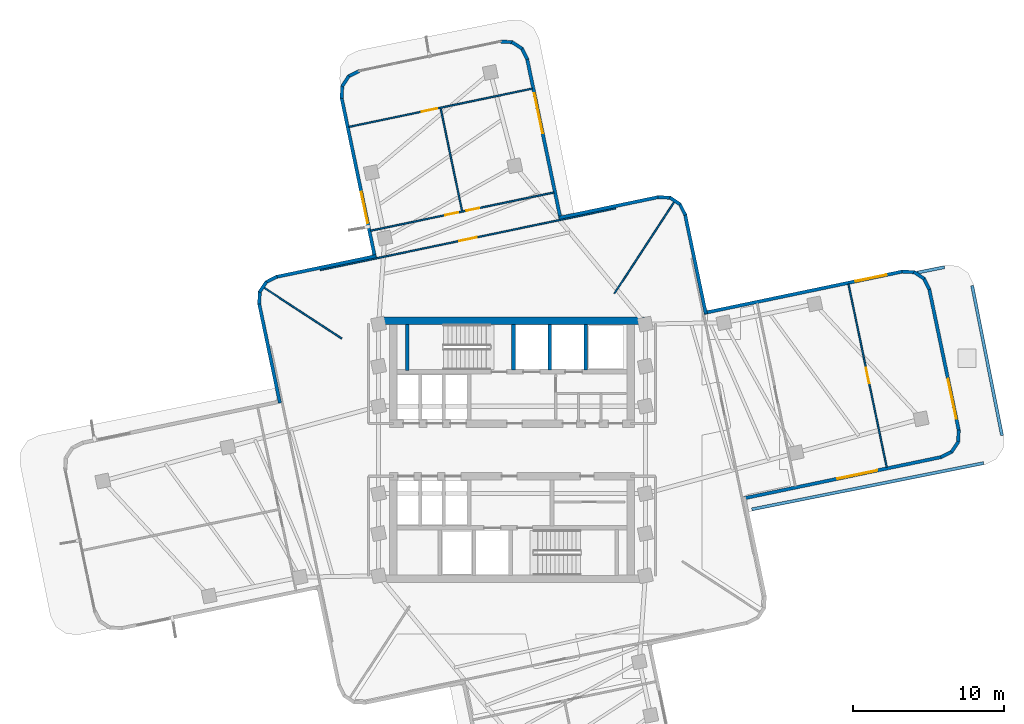
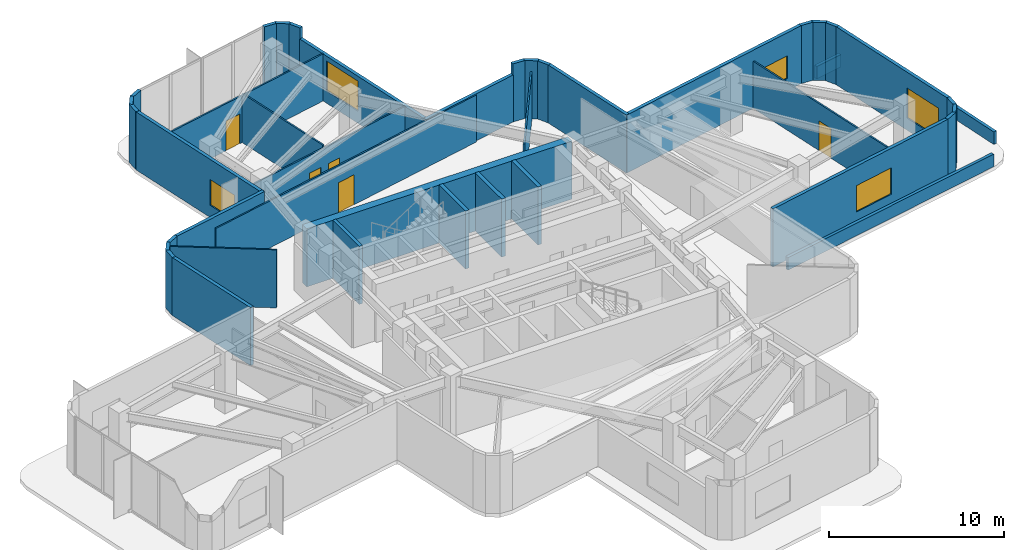
# One storey, part 8 of 12: 42 walls, 5 doors, 5 windows, 10 openings.
"""IFC4 building model written with IfcOpenShell, lengths in metres."""

from ifc_helpers import new_model, si_unit, direction, frame, frame_2d, origin, place, context, subcontext, project, spatial, rectangle, extrude, material, layer, layer_set, type_object, element, fill, save


model = new_model("IFC4")

# Units and contexts
model_context = context("Model", 3, precision=1e-05, world=origin(), true_north=direction((0.0, 1.0)))
body_context = subcontext(model_context, "Body", "Model", "MODEL_VIEW")
ifc_project = project(units=[si_unit("LENGTHUNIT", "METRE"), si_unit("AREAUNIT", "SQUARE_METRE"), si_unit("VOLUMEUNIT", "CUBIC_METRE"), si_unit("PLANEANGLEUNIT", "RADIAN"), si_unit("MASSUNIT", "GRAM", prefix="KILO")], contexts=[model_context])

# Site, building, storey
site_placement = place(None, origin())
site = spatial("IfcSite", under=ifc_project, at=site_placement, CompositionType="ELEMENT")
building_placement = place(site_placement, origin())
building = spatial("IfcBuilding", under=site, at=building_placement, Name="Solmarez Civic Tower", CompositionType="ELEMENT")
storey_placement = place(building_placement, frame((0.0, 0.0, 111.9599609375)))
storey = spatial("IfcBuildingStorey", under=building, at=storey_placement, Name="L29", CompositionType="ELEMENT", Elevation=111.9599609375)

# Walls
ifc_material_1 = material(Name="Concrete C60/75", Category="concrete")
ifc_layer_1 = layer(ifc_material_1, 0.5)
ifc_layer_set_1 = layer_set([ifc_layer_1], Name="Concrete C60/75")
wall_type_1 = type_object("IfcWallType", Name="WALL-CORE-500", PredefinedType="SHEAR", material=ifc_layer_set_1)
wall_1_placement = place(storey_placement, frame((-8.780029296875, 8.56005859375, 0.0), z_axis=(0.0, 0.0, 1.0), x_axis=(1.0, 0.0, 0.0)))
element("IfcWall", 1, at=wall_1_placement, inside=storey, type_object=wall_type_1, Name="L29 Split-Core Structural Wall NCW-N-L29", PredefinedType="SHEAR", context=body_context, shape_type="SweptSolid", body=[
    extrude(rectangle(XDim=17.56005859375, YDim=0.5, at=frame_2d((8.780029296875, 0.0))), origin(), (0.0, 0.0, 1.0), 4.06005859375),
])
ifc_material_2 = material(Name="Precast concrete C40/50", Category="concrete")
ifc_layer_2 = layer(ifc_material_2, 0.219970703125)
ifc_layer_set_2 = layer_set([ifc_layer_2], Name="Precast concrete C40/50")
wall_type_2 = type_object("IfcWallType", Name="WALL-EXT-220", PredefinedType="SOLIDWALL", material=ifc_layer_set_2)
wall_2_placement = place(storey_placement, frame((-15.403076171875, 3.118896484375, 0.0), z_axis=(0.0, 0.0, 1.0), x_axis=(-0.204509735336, 0.978864530031, 0.0)))
element("IfcWall", 2, at=wall_2_placement, inside=storey, type_object=wall_type_2, Name="L29 Exterior Precast Wall 13", PredefinedType="SOLIDWALL", context=body_context, shape_type="SweptSolid", body=[
    extrude(rectangle(XDim=6.7568359375, YDim=0.219970703125, at=frame_2d((3.37841796875, 0.0))), origin(), (0.0, 0.0, 1.0), 4.06005859375),
])
wall_3_placement = place(storey_placement, frame((-16.781005859375, 9.68408203125, 0.0), z_axis=(0.0, 0.0, 1.0), x_axis=(0.055016197793, 0.998485462078, 0.0)))
element("IfcWall", 3, at=wall_3_placement, inside=storey, type_object=wall_type_2, Name="L29 Exterior Precast Wall 14", PredefinedType="SOLIDWALL", context=body_context, shape_type="SweptSolid", body=[
    extrude(rectangle(XDim=0.834228515625, YDim=0.219970703125, at=frame_2d((0.4169921875, 0.0))), origin(), (0.0, 0.0, 1.0), 4.06005859375),
])
wall_4_placement = place(storey_placement, frame((-16.75, 10.470947265625, 0.0), z_axis=(0.0, 0.0, 1.0), x_axis=(0.54760232045, 0.836738727822, 0.0)))
element("IfcWall", 4, at=wall_4_placement, inside=storey, type_object=wall_type_2, Name="L29 Exterior Precast Wall 15", PredefinedType="SOLIDWALL", context=body_context, shape_type="SweptSolid", body=[
    extrude(rectangle(XDim=0.81982421875, YDim=0.219970703125, at=frame_2d((0.409912109375, 0.0))), origin(), (0.0, 0.0, 1.0), 4.06005859375),
])
wall_5_placement = place(storey_placement, frame((-16.3369140625, 11.125, 0.0), z_axis=(0.0, 0.0, 1.0), x_axis=(0.892485652426, 0.45107578101, 0.0)))
element("IfcWall", 5, at=wall_5_placement, inside=storey, type_object=wall_type_2, Name="L29 Exterior Precast Wall 16", PredefinedType="SOLIDWALL", context=body_context, shape_type="SweptSolid", body=[
    extrude(rectangle(XDim=0.83349609375, YDim=0.219970703125, at=frame_2d((0.416748046875, 0.0))), origin(), (0.0, 0.0, 1.0), 4.06005859375),
])
wall_6_placement = place(storey_placement, frame((-15.638916015625, 11.485107421875, 0.0), z_axis=(0.0, 0.0, 1.0), x_axis=(0.978870573598, 0.204480806295, 0.0)))
element("IfcWall", 6, at=wall_6_placement, inside=storey, type_object=wall_type_2, Name="L29 Exterior Precast Wall 17", PredefinedType="SOLIDWALL", context=body_context, shape_type="SweptSolid", body=[
    extrude(rectangle(XDim=6.7578125, YDim=0.219970703125, at=frame_2d((3.37890625, 0.0))), origin(), (0.0, 0.0, 1.0), 4.06005859375),
])

# Wall, opening, window
wall_7_placement = place(storey_placement, frame((-9.092041015625, 12.762939453125, 0.0), z_axis=(0.0, 0.0, 1.0), x_axis=(-0.204463355867, 0.978874218737, 0.0)))
wall_7 = element("IfcWall", 7, at=wall_7_placement, inside=storey, type_object=wall_type_2, Name="L29 Exterior Precast Wall 20", PredefinedType="SOLIDWALL", context=body_context, shape_type="SweptSolid", body=[
    extrude(rectangle(XDim=10.857666015625, YDim=0.219970703125, at=frame_2d((5.4287109375, 0.0))), origin(), (0.0, 0.0, 1.0), 4.06005859375),
])
opening_1_placement = place(wall_7_placement, frame((2.35009765625, 0.0, 0.85009765625)))
opening_1 = element("IfcOpeningElement", 8, at=opening_1_placement, cuts=wall_7, Name="Opening W-07", PredefinedType="OPENING", context=body_context, shape_type="SweptSolid", body=[
    extrude(rectangle(XDim=2.10009765625, YDim=1.800048828125, at=frame_2d((1.050048828125, 0.89990234375))), frame((0.0, 0.119873046875, 0.0), z_axis=(0.0, -1.0, 0.0), x_axis=(1.0, 0.0, 0.0)), (0.0, 0.0, 1.0), 0.239990234375),
])
ifc_material_3 = material(Name="Solar Control Bronze-Tinted Insulating Glass", Category="glass")
window_type_1 = type_object("IfcWindowType", Name="WIN-2100X1800", PartitioningType="SINGLE_PANEL", PredefinedType="WINDOW", material=ifc_material_3)
window_1_placement = place(opening_1_placement, origin())
window_1 = element("IfcWindow", 9, at=window_1_placement, inside=storey, type_object=window_type_1, Name="L29 Exterior Facade Window 20", OverallHeight=1.800048828125, OverallWidth=2.10009765625, PartitioningType="SINGLE_PANEL", PredefinedType="WINDOW", context=body_context, shape_type="SweptSolid", body=[
    extrude(rectangle(XDim=2.10009765625, YDim=1.800048828125, at=frame_2d((1.050048828125, 0.89990234375))), frame((0.0, 0.030029296875, 0.0), z_axis=(0.0, -1.0, 0.0), x_axis=(1.0, 0.0, 0.0)), (0.0, 0.0, 1.0), 0.06005859375),
])
fill(opening_1, window_1)

# Walls
wall_8_placement = place(storey_placement, frame((-11.30810546875, 23.342041015625, 0.0), z_axis=(0.0, 0.0, 1.0), x_axis=(0.05414087393, 0.998533307291, 0.0)))
element("IfcWall", 10, at=wall_8_placement, inside=storey, type_object=wall_type_2, Name="L29 Exterior Precast Wall 21", PredefinedType="SOLIDWALL", context=body_context, shape_type="SweptSolid", body=[
    extrude(rectangle(XDim=0.834228515625, YDim=0.219970703125, at=frame_2d((0.4169921875, 0.0))), origin(), (0.0, 0.0, 1.0), 4.06005859375),
])
wall_9_placement = place(storey_placement, frame((-11.278076171875, 24.12890625, 0.0), z_axis=(0.0, 0.0, 1.0), x_axis=(0.548643443567, 0.836056440577, 0.0)))
element("IfcWall", 11, at=wall_9_placement, inside=storey, type_object=wall_type_2, Name="L29 Exterior Precast Wall 22", PredefinedType="SOLIDWALL", context=body_context, shape_type="SweptSolid", body=[
    extrude(rectangle(XDim=0.820556640625, YDim=0.219970703125, at=frame_2d((0.41015625, 0.0))), origin(), (0.0, 0.0, 1.0), 4.06005859375),
])
wall_10_placement = place(storey_placement, frame((-10.864013671875, 24.782958984375, 0.0), z_axis=(0.0, 0.0, 1.0), x_axis=(0.892957084524, 0.450141805655, 0.0)))
element("IfcWall", 12, at=wall_10_placement, inside=storey, type_object=wall_type_2, Name="L29 Exterior Precast Wall 23", PredefinedType="SOLIDWALL", context=body_context, shape_type="SweptSolid", body=[
    extrude(rectangle(XDim=0.8330078125, YDim=0.219970703125, at=frame_2d((0.41650390625, 0.0))), origin(), (0.0, 0.0, 1.0), 4.06005859375),
])
wall_11_placement = place(storey_placement, frame((-0.799072265625, 27.10595703125, 0.0), z_axis=(0.0, 0.0, 1.0), x_axis=(0.998485462078, -0.055016197793, 0.0)))
element("IfcWall", 13, at=wall_11_placement, inside=storey, type_object=wall_type_2, Name="L29 Exterior Precast Wall 25", PredefinedType="SOLIDWALL", context=body_context, shape_type="SweptSolid", body=[
    extrude(rectangle(XDim=0.834228515625, YDim=0.219970703125, at=frame_2d((0.4169921875, 0.0))), origin(), (0.0, 0.0, 1.0), 4.06005859375),
])
wall_12_placement = place(storey_placement, frame((-0.011962890625, 27.074951171875, 0.0), z_axis=(0.0, 0.0, 1.0), x_axis=(0.836738727822, -0.54760232045, 0.0)))
element("IfcWall", 14, at=wall_12_placement, inside=storey, type_object=wall_type_2, Name="L29 Exterior Precast Wall 26", PredefinedType="SOLIDWALL", context=body_context, shape_type="SweptSolid", body=[
    extrude(rectangle(XDim=0.81982421875, YDim=0.219970703125, at=frame_2d((0.409912109375, 0.0))), origin(), (0.0, 0.0, 1.0), 4.06005859375),
])
wall_13_placement = place(storey_placement, frame((0.64208984375, 26.662109375, 0.0), z_axis=(0.0, 0.0, 1.0), x_axis=(0.450957890046, -0.892545226532, 0.0)))
element("IfcWall", 15, at=wall_13_placement, inside=storey, type_object=wall_type_2, Name="L29 Exterior Precast Wall 27", PredefinedType="SOLIDWALL", context=body_context, shape_type="SweptSolid", body=[
    extrude(rectangle(XDim=0.833740234375, YDim=0.219970703125, at=frame_2d((0.4169921875, 0.0))), origin(), (0.0, 0.0, 1.0), 4.06005859375),
])

# Wall, opening, window
wall_14_placement = place(storey_placement, frame((1.001953125, 25.964111328125, 0.0), z_axis=(0.0, 0.0, 1.0), x_axis=(0.204531529625, -0.978859976396, 0.0)))
wall_14 = element("IfcWall", 16, at=wall_14_placement, inside=storey, type_object=wall_type_2, Name="L29 Exterior Precast Wall 28", PredefinedType="SOLIDWALL", context=body_context, shape_type="SweptSolid", body=[
    extrude(rectangle(XDim=10.858642578125, YDim=0.219970703125, at=frame_2d((5.42919921875, 0.0))), origin(), (0.0, 0.0, 1.0), 3.2900390625),
])
opening_2_placement = place(wall_14_placement, frame((2.35009765625, 0.0, 0.85009765625)))
opening_2 = element("IfcOpeningElement", 17, at=opening_2_placement, cuts=wall_14, Name="Opening W-01", PredefinedType="OPENING", context=body_context, shape_type="SweptSolid", body=[
    extrude(rectangle(XDim=2.699951171875, YDim=2.10009765625, at=frame_2d((1.35009765625, 1.050048828125))), frame((0.0, 0.119873046875, 0.0), z_axis=(0.0, -1.0, 0.0), x_axis=(1.0, 0.0, 0.0)), (0.0, 0.0, 1.0), 0.239990234375),
])
window_type_2 = type_object("IfcWindowType", Name="WIN-2700X2100", PartitioningType="SINGLE_PANEL", PredefinedType="WINDOW", material=ifc_material_3)
window_2_placement = place(opening_2_placement, origin())
window_2 = element("IfcWindow", 18, at=window_2_placement, inside=storey, type_object=window_type_2, Name="L29 Exterior Facade Window 28", OverallHeight=2.10009765625, OverallWidth=2.699951171875, PartitioningType="SINGLE_PANEL", PredefinedType="WINDOW", context=body_context, shape_type="SweptSolid", body=[
    extrude(rectangle(XDim=2.699951171875, YDim=2.10009765625, at=frame_2d((1.35009765625, 1.050048828125))), frame((0.0, 0.030029296875, 0.0), z_axis=(0.0, -1.0, 0.0), x_axis=(1.0, 0.0, 0.0)), (0.0, 0.0, 1.0), 0.06005859375),
])
fill(opening_2, window_2)

# Walls
wall_15_placement = place(storey_placement, frame((3.118896484375, 15.403076171875, 0.0), z_axis=(0.0, 0.0, 1.0), x_axis=(0.978864530031, 0.204509735336, 0.0)))
element("IfcWall", 19, at=wall_15_placement, inside=storey, type_object=wall_type_2, Name="L29 Exterior Precast Wall 31", PredefinedType="SOLIDWALL", context=body_context, shape_type="SweptSolid", body=[
    extrude(rectangle(XDim=6.7568359375, YDim=0.219970703125, at=frame_2d((3.37841796875, 0.0))), origin(), (0.0, 0.0, 1.0), 3.2900390625),
])
wall_16_placement = place(storey_placement, frame((9.68408203125, 16.781005859375, 0.0), z_axis=(0.0, 0.0, 1.0), x_axis=(0.998485462078, -0.055016197793, 0.0)))
element("IfcWall", 20, at=wall_16_placement, inside=storey, type_object=wall_type_2, Name="L29 Exterior Precast Wall 32", PredefinedType="SOLIDWALL", context=body_context, shape_type="SweptSolid", body=[
    extrude(rectangle(XDim=0.834228515625, YDim=0.219970703125, at=frame_2d((0.4169921875, 0.0))), origin(), (0.0, 0.0, 1.0), 4.06005859375),
])
wall_17_placement = place(storey_placement, frame((10.470947265625, 16.75, 0.0), z_axis=(0.0, 0.0, 1.0), x_axis=(0.836738727822, -0.54760232045, 0.0)))
element("IfcWall", 21, at=wall_17_placement, inside=storey, type_object=wall_type_2, Name="L29 Exterior Precast Wall 33", PredefinedType="SOLIDWALL", context=body_context, shape_type="SweptSolid", body=[
    extrude(rectangle(XDim=0.81982421875, YDim=0.219970703125, at=frame_2d((0.409912109375, 0.0))), origin(), (0.0, 0.0, 1.0), 4.06005859375),
])
wall_18_placement = place(storey_placement, frame((11.125, 16.3369140625, 0.0), z_axis=(0.0, 0.0, 1.0), x_axis=(0.45107578101, -0.892485652426, 0.0)))
element("IfcWall", 22, at=wall_18_placement, inside=storey, type_object=wall_type_2, Name="L29 Exterior Precast Wall 34", PredefinedType="SOLIDWALL", context=body_context, shape_type="SweptSolid", body=[
    extrude(rectangle(XDim=0.83349609375, YDim=0.219970703125, at=frame_2d((0.416748046875, 0.0))), origin(), (0.0, 0.0, 1.0), 4.06005859375),
])
wall_19_placement = place(storey_placement, frame((11.485107421875, 15.638916015625, 0.0), z_axis=(0.0, 0.0, 1.0), x_axis=(0.204480806295, -0.978870573598, 0.0)))
element("IfcWall", 23, at=wall_19_placement, inside=storey, type_object=wall_type_2, Name="L29 Exterior Precast Wall 35", PredefinedType="SOLIDWALL", context=body_context, shape_type="SweptSolid", body=[
    extrude(rectangle(XDim=6.7578125, YDim=0.219970703125, at=frame_2d((3.37890625, 0.0))), origin(), (0.0, 0.0, 1.0), 4.06005859375),
])

# Wall, opening, window
wall_20_placement = place(storey_placement, frame((12.762939453125, 9.092041015625, 0.0), z_axis=(0.0, 0.0, 1.0), x_axis=(0.97886813171, 0.204492495517, 0.0)))
wall_20 = element("IfcWall", 24, at=wall_20_placement, inside=storey, type_object=wall_type_2, Name="L29 Exterior Precast Wall 38", PredefinedType="SOLIDWALL", context=body_context, shape_type="SweptSolid", body=[
    extrude(rectangle(XDim=13.45751953125, YDim=0.219970703125, at=frame_2d((6.728759765625, 0.0))), origin(), (0.0, 0.0, 1.0), 4.06005859375),
])
opening_3_placement = place(wall_20_placement, frame((10.257080078125, 0.0, 0.85009765625)))
opening_3 = element("IfcOpeningElement", 25, at=opening_3_placement, cuts=wall_20, Name="Opening W-11", PredefinedType="OPENING", context=body_context, shape_type="SweptSolid", body=[
    extrude(rectangle(XDim=2.10009765625, YDim=1.60009765625, at=frame_2d((1.050048828125, 0.800048828125))), frame((0.0, 0.119873046875, 0.0), z_axis=(0.0, -1.0, 0.0), x_axis=(1.0, 0.0, 0.0)), (0.0, 0.0, 1.0), 0.239990234375),
])
window_type_3 = type_object("IfcWindowType", Name="WIN-2100X1600", PartitioningType="SINGLE_PANEL", PredefinedType="WINDOW", material=ifc_material_3)
window_3_placement = place(opening_3_placement, origin())
window_3 = element("IfcWindow", 26, at=window_3_placement, inside=storey, type_object=window_type_3, Name="L29 Exterior Facade Window 38", OverallHeight=1.60009765625, OverallWidth=2.10009765625, PartitioningType="SINGLE_PANEL", PredefinedType="WINDOW", context=body_context, shape_type="SweptSolid", body=[
    extrude(rectangle(XDim=2.10009765625, YDim=1.60009765625, at=frame_2d((1.050048828125, 0.800048828125))), frame((0.0, 0.030029296875, 0.0), z_axis=(0.0, -1.0, 0.0), x_axis=(1.0, 0.0, 0.0)), (0.0, 0.0, 1.0), 0.06005859375),
])
fill(opening_3, window_3)

# Walls
wall_21_placement = place(storey_placement, frame((25.886962890625, 11.840087890625, 0.0), z_axis=(0.0, 0.0, 1.0), x_axis=(0.998469344193, -0.05530794433, 0.0)))
element("IfcWall", 27, at=wall_21_placement, inside=storey, type_object=wall_type_2, Name="L29 Exterior Precast Wall 39", PredefinedType="SOLIDWALL", context=body_context, shape_type="SweptSolid", body=[
    extrude(rectangle(XDim=0.834228515625, YDim=0.219970703125, at=frame_2d((0.4169921875, 0.0))), origin(), (0.0, 0.0, 1.0), 4.06005859375),
])
wall_22_placement = place(storey_placement, frame((26.674072265625, 11.80908203125, 0.0), z_axis=(0.0, 0.0, 1.0), x_axis=(0.836738727822, -0.54760232045, 0.0)))
element("IfcWall", 28, at=wall_22_placement, inside=storey, type_object=wall_type_2, Name="L29 Exterior Precast Wall 40", PredefinedType="SOLIDWALL", context=body_context, shape_type="SweptSolid", body=[
    extrude(rectangle(XDim=0.81982421875, YDim=0.219970703125, at=frame_2d((0.409912109375, 0.0))), origin(), (0.0, 0.0, 1.0), 4.06005859375),
])
wall_23_placement = place(storey_placement, frame((27.327880859375, 11.39599609375, 0.0), z_axis=(0.0, 0.0, 1.0), x_axis=(0.450141805655, -0.892957084524, 0.0)))
element("IfcWall", 29, at=wall_23_placement, inside=storey, type_object=wall_type_2, Name="L29 Exterior Precast Wall 41", PredefinedType="SOLIDWALL", context=body_context, shape_type="SweptSolid", body=[
    extrude(rectangle(XDim=0.8330078125, YDim=0.219970703125, at=frame_2d((0.41650390625, 0.0))), origin(), (0.0, 0.0, 1.0), 4.06005859375),
])

# Wall, opening, window
wall_24_placement = place(storey_placement, frame((27.68701171875, 10.697998046875, 0.0), z_axis=(0.0, 0.0, 1.0), x_axis=(0.204566309339, -0.978852708574, 0.0)))
wall_24 = element("IfcWall", 30, at=wall_24_placement, inside=storey, type_object=wall_type_2, Name="L29 Exterior Precast Wall 42", PredefinedType="SOLIDWALL", context=body_context, shape_type="SweptSolid", body=[
    extrude(rectangle(XDim=9.620361328125, YDim=0.219970703125, at=frame_2d((4.81005859375, 0.0))), origin(), (0.0, 0.0, 1.0), 4.06005859375),
])
opening_4_placement = place(wall_24_placement, frame((6.1201171875, 0.0, 0.85009765625)))
opening_4 = element("IfcOpeningElement", 31, at=opening_4_placement, cuts=wall_24, Name="Opening W-01", PredefinedType="OPENING", context=body_context, shape_type="SweptSolid", body=[
    extrude(rectangle(XDim=2.699951171875, YDim=2.10009765625, at=frame_2d((1.35009765625, 1.050048828125))), frame((0.0, 0.119873046875, 0.0), z_axis=(0.0, -1.0, 0.0), x_axis=(1.0, 0.0, 0.0)), (0.0, 0.0, 1.0), 0.239990234375),
])
window_4_placement = place(opening_4_placement, origin())
window_4 = element("IfcWindow", 32, at=window_4_placement, inside=storey, type_object=window_type_2, Name="L29 Exterior Facade Window 42", OverallHeight=2.10009765625, OverallWidth=2.699951171875, PartitioningType="SINGLE_PANEL", PredefinedType="WINDOW", context=body_context, shape_type="SweptSolid", body=[
    extrude(rectangle(XDim=2.699951171875, YDim=2.10009765625, at=frame_2d((1.35009765625, 1.050048828125))), frame((0.0, 0.030029296875, 0.0), z_axis=(0.0, -1.0, 0.0), x_axis=(1.0, 0.0, 0.0)), (0.0, 0.0, 1.0), 0.06005859375),
])
fill(opening_4, window_4)

# Walls
wall_25_placement = place(storey_placement, frame((29.65087890625, 1.330078125, 0.0), z_axis=(0.0, 0.0, 1.0), x_axis=(-0.055016197793, -0.998485462078, 0.0)))
element("IfcWall", 33, at=wall_25_placement, inside=storey, type_object=wall_type_2, Name="L29 Exterior Precast Wall 43", PredefinedType="SOLIDWALL", context=body_context, shape_type="SweptSolid", body=[
    extrude(rectangle(XDim=0.834228515625, YDim=0.219970703125, at=frame_2d((0.4169921875, 0.0))), origin(), (0.0, 0.0, 1.0), 4.06005859375),
])
wall_26_placement = place(storey_placement, frame((29.6201171875, 0.54296875, 0.0), z_axis=(0.0, 0.0, 1.0), x_axis=(-0.54835696222, -0.836244367386, 0.0)))
element("IfcWall", 34, at=wall_26_placement, inside=storey, type_object=wall_type_2, Name="L29 Exterior Precast Wall 44", PredefinedType="SOLIDWALL", context=body_context, shape_type="SweptSolid", body=[
    extrude(rectangle(XDim=0.819091796875, YDim=0.219970703125, at=frame_2d((0.40966796875, 0.0))), origin(), (0.0, 0.0, 1.0), 4.06005859375),
])
wall_27_placement = place(storey_placement, frame((29.20703125, -0.110107421875, 0.0), z_axis=(0.0, 0.0, 1.0), x_axis=(-0.892545226532, -0.450957890046, 0.0)))
element("IfcWall", 35, at=wall_27_placement, inside=storey, type_object=wall_type_2, Name="L29 Exterior Precast Wall 45", PredefinedType="SOLIDWALL", context=body_context, shape_type="SweptSolid", body=[
    extrude(rectangle(XDim=0.833740234375, YDim=0.219970703125, at=frame_2d((0.4169921875, 0.0))), origin(), (0.0, 0.0, 1.0), 4.06005859375),
])

# Wall, opening, window
wall_28_placement = place(storey_placement, frame((28.509033203125, -0.469970703125, 0.0), z_axis=(0.0, 0.0, 1.0), x_axis=(-0.97885663995, -0.204547496749, 0.0)))
wall_28 = element("IfcWall", 36, at=wall_28_placement, inside=storey, type_object=wall_type_2, Name="L29 Exterior Precast Wall 46", PredefinedType="SOLIDWALL", context=body_context, shape_type="SweptSolid", body=[
    extrude(rectangle(XDim=13.458740234375, YDim=0.219970703125, at=frame_2d((6.7294921875, 0.0))), origin(), (0.0, 0.0, 1.0), 4.06005859375),
])
opening_5_placement = place(wall_28_placement, frame((4.35009765625, 0.0, 0.85009765625)))
opening_5 = element("IfcOpeningElement", 37, at=opening_5_placement, cuts=wall_28, Name="Opening W-05", PredefinedType="OPENING", context=body_context, shape_type="SweptSolid", body=[
    extrude(rectangle(XDim=2.699951171875, YDim=1.85009765625, at=frame_2d((1.35009765625, 0.925048828125))), frame((0.0, 0.119873046875, 0.0), z_axis=(0.0, -1.0, 0.0), x_axis=(1.0, 0.0, 0.0)), (0.0, 0.0, 1.0), 0.239990234375),
])
window_type_4 = type_object("IfcWindowType", Name="WIN-2700X1850", PartitioningType="SINGLE_PANEL", PredefinedType="WINDOW", material=ifc_material_3)
window_5_placement = place(opening_5_placement, origin())
window_5 = element("IfcWindow", 38, at=window_5_placement, inside=storey, type_object=window_type_4, Name="L29 Exterior Facade Window 46", OverallHeight=1.85009765625, OverallWidth=2.699951171875, PartitioningType="SINGLE_PANEL", PredefinedType="WINDOW", context=body_context, shape_type="SweptSolid", body=[
    extrude(rectangle(XDim=2.699951171875, YDim=1.85009765625, at=frame_2d((1.35009765625, 0.925048828125))), frame((0.0, 0.030029296875, 0.0), z_axis=(0.0, -1.0, 0.0), x_axis=(1.0, 0.0, 0.0)), (0.0, 0.0, 1.0), 0.06005859375),
])
fill(opening_5, window_5)

# Walls
ifc_material_4 = material(Name="Gypsum Board Acoustic Steel-Stud Partition", Category="steel")
ifc_layer_3 = layer(ifc_material_4, 0.10009765625)
ifc_layer_set_3 = layer_set([ifc_layer_3], Name="Gypsum Board Acoustic Steel-Stud Partition")
wall_type_3 = type_object("IfcWallType", Name="WALL-INT-PART-100", PredefinedType="PARTITIONING", material=ifc_layer_set_3)
wall_29_placement = place(storey_placement, frame((6.7919921875, 10.3798828125, 0.0), z_axis=(0.0, 0.0, 1.0), x_axis=(0.547596764532, 0.836742363858, 0.0)))
element("IfcWall", 39, at=wall_29_placement, inside=storey, type_object=wall_type_3, Name="L29 Interior Partition PT-L29-QDIV-1", PredefinedType="PARTITIONING", context=body_context, shape_type="SweptSolid", body=[
    extrude(rectangle(XDim=7.269775390625, YDim=0.10009765625, at=frame_2d((3.634765625, 0.0))), origin(), (0.0, 0.0, 1.0), 3.2900390625),
])
wall_30_placement = place(storey_placement, frame((-11.300048828125, 7.39404296875, 0.0), z_axis=(0.0, 0.0, 1.0), x_axis=(-0.836731843599, 0.547612839429, 0.0)))
element("IfcWall", 40, at=wall_30_placement, inside=storey, type_object=wall_type_3, Name="L29 Interior Partition PT-L29-QDIV-2", PredefinedType="PARTITIONING", context=body_context, shape_type="SweptSolid", body=[
    extrude(rectangle(XDim=6.170166015625, YDim=0.10009765625, at=frame_2d((3.0849609375, 0.0))), origin(), (0.0, 0.0, 1.0), 4.06005859375),
])

# Wall, opening, door
wall_31_placement = place(storey_placement, frame((22.330078125, 11.013916015625, 0.0), z_axis=(0.0, 0.0, 1.0), x_axis=(0.204434266469, -0.978880294364, 0.0)))
wall_31 = element("IfcWall", 41, at=wall_31_placement, inside=storey, type_object=wall_type_3, Name="L29 Interior Partition PT-L29-E-SC2", PredefinedType="PARTITIONING", context=body_context, shape_type="SweptSolid", body=[
    extrude(rectangle(XDim=12.429443359375, YDim=0.10009765625, at=frame_2d((6.21484375, 0.0))), origin(), (0.0, 0.0, 1.0), 3.2900390625),
])
opening_6_placement = place(wall_31_placement, frame((5.68994140625, 0.0, 0.0)))
opening_6 = element("IfcOpeningElement", 42, at=opening_6_placement, cuts=wall_31, Name="Opening D-13", PredefinedType="OPENING", context=body_context, shape_type="SweptSolid", body=[
    extrude(rectangle(XDim=1.050048828125, YDim=2.080078125, at=frame_2d((0.52490234375, 1.0400390625))), frame((0.0, 0.06005859375, 0.0), z_axis=(0.0, -1.0, 0.0), x_axis=(1.0, 0.0, 0.0)), (0.0, 0.0, 1.0), 0.1201171875),
])
ifc_material_5 = material(Name="Timber Directorate Office Door", Category="wood")
door_type_1 = type_object("IfcDoorType", Name="DOOR-INT-1050", OperationType="NOTDEFINED", PredefinedType="DOOR", material=ifc_material_5)
door_1_placement = place(opening_6_placement, origin())
door_1 = element("IfcDoor", 43, at=door_1_placement, inside=storey, type_object=door_type_1, Name="L29 Staff Pantry East Door", OperationType="SINGLE_SWING_RIGHT", OverallHeight=2.080078125, OverallWidth=1.050048828125, PredefinedType="DOOR", context=body_context, shape_type="SweptSolid", body=[
    extrude(rectangle(XDim=1.050048828125, YDim=2.080078125, at=frame_2d((0.52490234375, 1.0400390625))), frame((0.0, 0.02490234375, 0.0), z_axis=(0.0, -1.0, 0.0), x_axis=(1.0, 0.0, 0.0)), (0.0, 0.0, 1.0), 0.050048828125),
])
fill(opening_6, door_1)

wall_32_placement = place(storey_placement, frame((-12.72998046875, 11.93896484375, 0.0), z_axis=(0.0, 0.0, 1.0), x_axis=(0.978865834839, 0.204503489908, 0.0)))
wall_32 = element("IfcWall", 44, at=wall_32_placement, inside=storey, type_object=wall_type_3, Name="L29 Interior Partition PT-L29-N-ENT", PredefinedType="PARTITIONING", context=body_context, shape_type="SweptSolid", body=[
    extrude(rectangle(XDim=20.03955078125, YDim=0.10009765625, at=frame_2d((10.019775390625, 0.0))), origin(), (0.0, 0.0, 1.0), 3.2900390625),
])
opening_7_placement = place(wall_32_placement, frame((9.419921875, 0.0, 0.0)))
opening_7 = element("IfcOpeningElement", 45, at=opening_7_placement, cuts=wall_32, Name="Opening D-11", PredefinedType="OPENING", context=body_context, shape_type="SweptSolid", body=[
    extrude(rectangle(XDim=1.199951171875, YDim=2.10009765625, at=frame_2d((0.60009765625, 1.050048828125))), frame((0.0, 0.06005859375, 0.0), z_axis=(0.0, -1.0, 0.0), x_axis=(1.0, 0.0, 0.0)), (0.0, 0.0, 1.0), 0.1201171875),
])
ifc_material_6 = material(Name="Glazed-Vision Acoustic Chamber Door", Category="wood")
door_type_2 = type_object("IfcDoorType", Name="DOOR-INT-1200", OperationType="NOTDEFINED", PredefinedType="DOOR", material=ifc_material_6)
door_2_placement = place(opening_7_placement, origin())
door_2 = element("IfcDoor", 46, at=door_2_placement, inside=storey, type_object=door_type_2, Name="L29 Policy Seminar Room First North Door", OperationType="SINGLE_SWING_LEFT", OverallHeight=2.10009765625, OverallWidth=1.199951171875, PredefinedType="DOOR", context=body_context, shape_type="SweptSolid", body=[
    extrude(rectangle(XDim=1.199951171875, YDim=2.10009765625, at=frame_2d((0.60009765625, 1.050048828125))), frame((0.0, 0.02490234375, 0.0), z_axis=(0.0, -1.0, 0.0), x_axis=(1.0, 0.0, 0.0)), (0.0, 0.0, 1.0), 0.050048828125),
])
fill(opening_7, door_2)

# Wall
wall_33_placement = place(storey_placement, frame((-3.31689453125, 15.876953125, 0.0), z_axis=(0.0, 0.0, 1.0), x_axis=(-0.204481130679, 0.978870505836, 0.0)))
element("IfcWall", 47, at=wall_33_placement, inside=storey, type_object=wall_type_3, Name="L29 Interior Partition PT-L29-N-MM", PredefinedType="PARTITIONING", context=body_context, shape_type="SweptSolid", body=[
    extrude(rectangle(XDim=6.920166015625, YDim=0.10009765625, at=frame_2d((3.4599609375, 0.0))), origin(), (0.0, 0.0, 1.0), 3.43994140625),
])

# Wall, openings, doors
wall_34_placement = place(storey_placement, frame((2.779052734375, 17.089111328125, 0.0), z_axis=(0.0, 0.0, 1.0), x_axis=(-0.978880294364, -0.204434266469, 0.0)))
wall_34 = element("IfcWall", 48, at=wall_34_placement, inside=storey, type_object=wall_type_3, Name="L29 Interior Partition PT-L29-N-S1", PredefinedType="PARTITIONING", context=body_context, shape_type="SweptSolid", body=[
    extrude(rectangle(XDim=12.429443359375, YDim=0.10009765625, at=frame_2d((6.21484375, 0.0))), origin(), (0.0, 0.0, 1.0), 3.2900390625),
])
opening_8_placement = place(wall_34_placement, frame((5.06494140625, 0.0, 0.0)))
opening_8 = element("IfcOpeningElement", 49, at=opening_8_placement, cuts=wall_34, Name="Opening D-14", PredefinedType="OPENING", context=body_context, shape_type="SweptSolid", body=[
    extrude(rectangle(XDim=0.860107421875, YDim=2.0400390625, at=frame_2d((0.43017578125, 1.02001953125))), frame((0.0, 0.06005859375, 0.0), z_axis=(0.0, -1.0, 0.0), x_axis=(1.0, 0.0, 0.0)), (0.0, 0.0, 1.0), 0.1201171875),
])
opening_9_placement = place(wall_34_placement, frame((6.5048828125, 0.0, 0.0)))
opening_9 = element("IfcOpeningElement", 50, at=opening_9_placement, cuts=wall_34, Name="Opening D-14", PredefinedType="OPENING", context=body_context, shape_type="SweptSolid", body=[
    extrude(rectangle(XDim=0.860107421875, YDim=2.0400390625, at=frame_2d((0.43017578125, 1.02001953125))), frame((0.0, 0.06005859375, 0.0), z_axis=(0.0, -1.0, 0.0), x_axis=(1.0, 0.0, 0.0)), (0.0, 0.0, 1.0), 0.1201171875),
])
ifc_material_7 = material(Name="Timber Storage and Pantry Door", Category="wood")
door_type_3 = type_object("IfcDoorType", Name="DOOR-INT-850", OperationType="NOTDEFINED", PredefinedType="DOOR", material=ifc_material_7)
door_3_placement = place(opening_8_placement, origin())
door_3 = element("IfcDoor", 51, at=door_3_placement, inside=storey, type_object=door_type_3, Name="L29 Staff Pantry Third North Door", OperationType="SINGLE_SWING_RIGHT", OverallHeight=2.0400390625, OverallWidth=0.860107421875, PredefinedType="DOOR", context=body_context, shape_type="SweptSolid", body=[
    extrude(rectangle(XDim=0.860107421875, YDim=2.0400390625, at=frame_2d((0.43017578125, 1.02001953125))), frame((0.0, 0.02490234375, 0.0), z_axis=(0.0, -1.0, 0.0), x_axis=(1.0, 0.0, 0.0)), (0.0, 0.0, 1.0), 0.050048828125),
])
fill(opening_8, door_3)
door_4_placement = place(opening_9_placement, origin())
door_4 = element("IfcDoor", 52, at=door_4_placement, inside=storey, type_object=door_type_3, Name="L29 Citizen Consultation Room Second North Door", OperationType="SINGLE_SWING_LEFT", OverallHeight=2.0400390625, OverallWidth=0.860107421875, PredefinedType="DOOR", context=body_context, shape_type="SweptSolid", body=[
    extrude(rectangle(XDim=0.860107421875, YDim=2.0400390625, at=frame_2d((0.43017578125, 1.02001953125))), frame((0.0, 0.02490234375, 0.0), z_axis=(0.0, -1.0, 0.0), x_axis=(1.0, 0.0, 0.0)), (0.0, 0.0, 1.0), 0.050048828125),
])
fill(opening_9, door_4)

# Wall, opening, door
wall_35_placement = place(storey_placement, frame((-10.827880859375, 21.43896484375, 0.0), z_axis=(0.0, 0.0, 1.0), x_axis=(0.978864568929, 0.204509549155, 0.0)))
wall_35 = element("IfcWall", 53, at=wall_35_placement, inside=storey, type_object=wall_type_3, Name="L29 Interior Partition PT-L29-N-S2", PredefinedType="PARTITIONING", context=body_context, shape_type="SweptSolid", body=[
    extrude(rectangle(XDim=12.4296875, YDim=0.10009765625, at=frame_2d((6.21484375, 0.0))), origin(), (0.0, 0.0, 1.0), 3.2900390625),
])
opening_10_placement = place(wall_35_placement, frame((4.93994140625, 0.0, 0.0)))
opening_10 = element("IfcOpeningElement", 54, at=opening_10_placement, cuts=wall_35, Name="Opening D-13", PredefinedType="OPENING", context=body_context, shape_type="SweptSolid", body=[
    extrude(rectangle(XDim=1.050048828125, YDim=2.080078125, at=frame_2d((0.52490234375, 1.0400390625))), frame((0.0, 0.06005859375, 0.0), z_axis=(0.0, -1.0, 0.0), x_axis=(1.0, 0.0, 0.0)), (0.0, 0.0, 1.0), 0.1201171875),
])
door_5_placement = place(opening_10_placement, origin())
door_5 = element("IfcDoor", 55, at=door_5_placement, inside=storey, type_object=door_type_1, Name="L29 Inter-Ministerial Open Workspace Fourth North Door", OperationType="SINGLE_SWING_LEFT", OverallHeight=2.080078125, OverallWidth=1.050048828125, PredefinedType="DOOR", context=body_context, shape_type="SweptSolid", body=[
    extrude(rectangle(XDim=1.050048828125, YDim=2.080078125, at=frame_2d((0.52490234375, 1.0400390625))), frame((0.0, 0.02490234375, 0.0), z_axis=(0.0, -1.0, 0.0), x_axis=(1.0, 0.0, 0.0)), (0.0, 0.0, 1.0), 0.050048828125),
])
fill(opening_10, door_5)

# Walls
ifc_layer_4 = layer(ifc_material_2, 0.199951171875)
ifc_layer_set_4 = layer_set([ifc_layer_4], Name="Precast concrete C40/50")
wall_type_4 = type_object("IfcWallType", Name="WALL-PARAPET-200", PredefinedType="PARAPET", material=ifc_layer_set_4)
wall_36_placement = place(storey_placement, frame((15.9189453125, -3.943115234375, 0.0), z_axis=(0.0, 0.0, 1.0), x_axis=(0.980669803086, 0.195669970395, 0.0)))
element("IfcWall", 56, at=wall_36_placement, inside=storey, type_object=wall_type_4, Name="L29 Roof Perimeter Parapet 12", PredefinedType="PARAPET", context=body_context, shape_type="SweptSolid", body=[
    extrude(rectangle(XDim=15.679931640625, YDim=0.199951171875, at=frame_2d((7.83984375, 0.0))), origin(), (0.0, 0.0, 1.0), 0.880126953125),
])
wall_37_placement = place(storey_placement, frame((32.52099609375, 0.9599609375, 0.0), z_axis=(0.0, 0.0, 1.0), x_axis=(-0.195648466366, 0.980674093473, 0.0)))
element("IfcWall", 57, at=wall_37_placement, inside=storey, type_object=wall_type_4, Name="L29 Roof Perimeter Parapet 16", PredefinedType="PARAPET", context=body_context, shape_type="SweptSolid", body=[
    extrude(rectangle(XDim=10.14013671875, YDim=0.199951171875, at=frame_2d((5.070068359375, 0.0))), origin(), (0.0, 0.0, 1.0), 0.880126953125),
])
wall_38_placement = place(storey_placement, frame((28.701904296875, 12.12890625, 0.0), z_axis=(0.0, 0.0, 1.0), x_axis=(-0.980661857894, -0.195709786345, 0.0)))
element("IfcWall", 58, at=wall_38_placement, inside=storey, type_object=wall_type_4, Name="L29 Roof Perimeter Parapet 20", PredefinedType="PARAPET", context=body_context, shape_type="SweptSolid", body=[
    extrude(rectangle(XDim=1.8486328125, YDim=0.199951171875, at=frame_2d((0.92431640625, 0.0))), origin(), (0.0, 0.0, 1.0), 0.880126953125),
])
ifc_material_8 = material(Name="Concrete C50/60", Category="concrete")
ifc_layer_5 = layer(ifc_material_8, 0.300048828125)
ifc_layer_set_5 = layer_set([ifc_layer_5], Name="Concrete C50/60")
wall_type_5 = type_object("IfcWallType", Name="WALL-STR-300", PredefinedType="SOLIDWALL", material=ifc_layer_set_5)
wall_39_placement = place(storey_placement, frame((-6.949951171875, 5.280029296875, 0.0), z_axis=(0.0, 0.0, 1.0), x_axis=(0.0, 1.0, 0.0)))
element("IfcWall", 59, at=wall_39_placement, inside=storey, type_object=wall_type_5, Name="L29 Split-Core Structural Wall SHW-NW-L29", PredefinedType="SOLIDWALL", context=body_context, shape_type="SweptSolid", body=[
    extrude(rectangle(XDim=3.06005859375, YDim=0.219970703125, at=frame_2d((1.530029296875, 0.0))), origin(), (0.0, 0.0, 1.0), 4.06005859375),
])
for number, where, z_axis, x_axis, name in (
    (60, (0.10009765625, 5.300048828125, 0.0), (0.0, 0.0, 1.0), (0.0, 1.0, 0.0), "L29 Split-Core Structural Wall SHW-N1-L29"),
    (61, (2.5, 5.300048828125, 0.0), (0.0, 0.0, 1.0), (0.0, 1.0, 0.0), "L29 Split-Core Structural Wall SHW-N2-L29"),
    (62, (4.89990234375, 5.300048828125, 0.0), (0.0, 0.0, 1.0), (0.0, 1.0, 0.0), "L29 Split-Core Structural Wall SHW-N3-L29"),
):
    element("IfcWall", number, at=place(storey_placement, frame(where, z_axis=z_axis, x_axis=x_axis)), inside=storey, type_object=wall_type_5, Name=name, PredefinedType="SOLIDWALL", context=body_context, shape_type="SweptSolid", body=[
        extrude(rectangle(XDim=3.0400390625, YDim=0.25, at=frame_2d((1.52001953125, 0.0))), origin(), (0.0, 0.0, 1.0), 4.06005859375),
    ])

save(model, "model.ifc")
